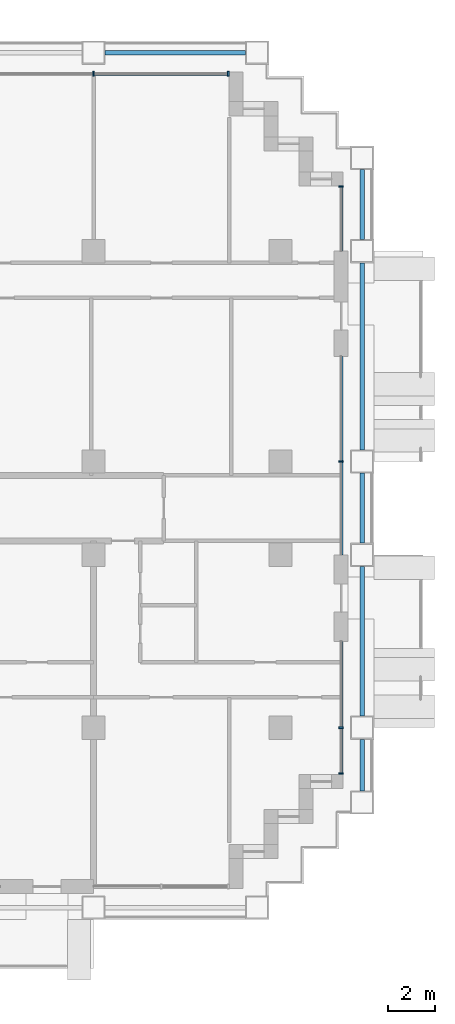
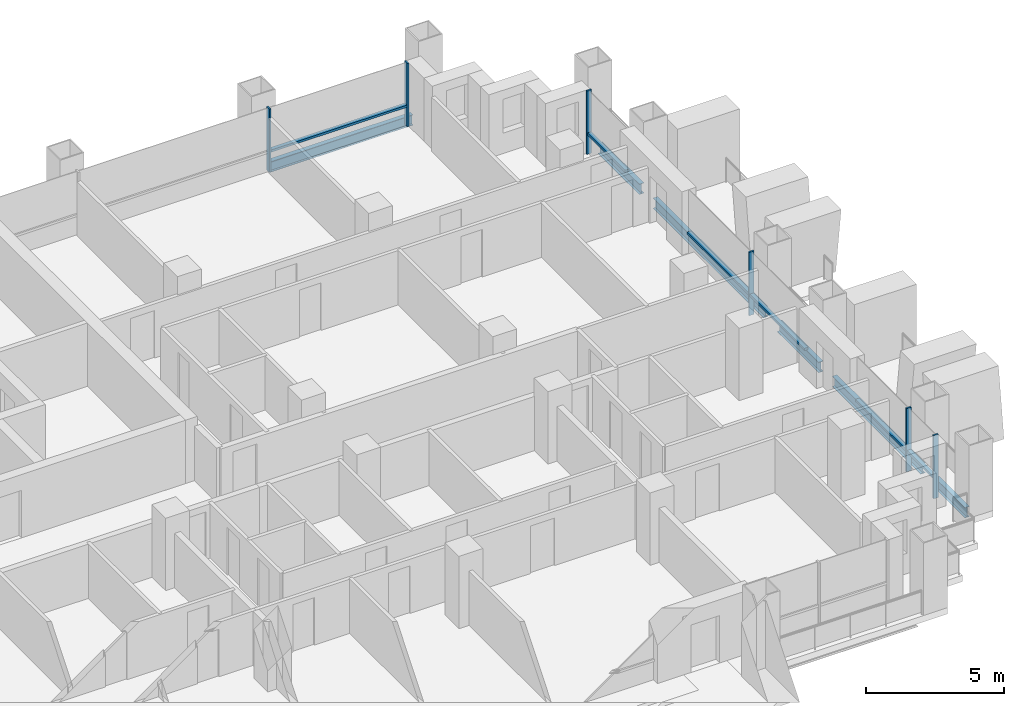
# One storey, part 6 of 19: 12 members, 6 beams, 4 elements without a shape of their own.
"""IFC4 building model written with IfcOpenShell, lengths in metres."""

from ifc_helpers import new_model, si_unit, direction, frame, origin, origin_2d, place, context, subcontext, project, spatial, rectangle, i_section, extrude, material, material_profile, profile_set, type_object, element, aggregate, save


model = new_model("IFC4")

# Units and contexts
model_context = context("Model", 3, precision=1e-05, world=origin(), true_north=direction((0.0, 1.0)))
body_context = subcontext(model_context, "Body", "Model", "MODEL_VIEW")
ifc_project = project(units=[si_unit("LENGTHUNIT", "METRE"), si_unit("AREAUNIT", "SQUARE_METRE"), si_unit("VOLUMEUNIT", "CUBIC_METRE"), si_unit("PLANEANGLEUNIT", "RADIAN"), si_unit("MASSUNIT", "GRAM", prefix="KILO")], contexts=[model_context])

# Site, building, storey
site_placement = place(None, origin())
site = spatial("IfcSite", under=ifc_project, at=site_placement, CompositionType="ELEMENT")
building_placement = place(site_placement, origin())
building = spatial("IfcBuilding", under=site, at=building_placement, Name="Vidyagriha Tower", CompositionType="ELEMENT")
storey_placement = place(building_placement, frame((0.0, 0.0, 60.800048828125)))
storey = spatial("IfcBuildingStorey", under=building, at=storey_placement, Name="L16", CompositionType="ELEMENT", Elevation=60.800048828125)

# Beams
ifc_material_1 = material(Name="Steel ASTM A992 Grade 50", Category="steel")
ifc_material_profile_1 = material_profile(ifc_material_1, i_section(OverallWidth=0.19189453125, OverallDepth=0.46240234375, WebThickness=0.010498046875, FlangeThickness=0.017578125, at=origin_2d()), Name="W18X60")
ifc_profile_set_1 = profile_set([ifc_material_profile_1], Name="Steel ASTM A992 Grade 50")
beam_type = type_object("IfcBeamType", Name="Edge beam W18X60", PredefinedType="SPANDREL", material=ifc_profile_set_1)
beam_1_placement = place(storey_placement, frame((37.5, -12.10009765625, -0.51123046875), z_axis=(0.0, 1.0, 0.0), x_axis=(-1.0, 0.0, 0.0)))
element("IfcBeam", 1, at=beam_1_placement, inside=storey, type_object=beam_type, Name="st-beam-L16-E15", PredefinedType="SPANDREL", context=body_context, shape_type="SweptSolid", body=[
    extrude(i_section(OverallWidth=0.19189453125, OverallDepth=0.46240234375, WebThickness=0.010498046875, FlangeThickness=0.017578125, at=origin_2d()), origin(), (0.0, 0.0, 1.0), 2.2001953125),
])
beam_2_placement = place(storey_placement, frame((37.5, -8.89990234375, -0.51123046875), z_axis=(0.0, 1.0, 0.0), x_axis=(-1.0, 0.0, 0.0)))
element("IfcBeam", 2, at=beam_2_placement, inside=storey, type_object=beam_type, Name="st-beam-L16-E16", PredefinedType="SPANDREL", context=body_context, shape_type="SweptSolid", body=[
    extrude(i_section(OverallWidth=0.19189453125, OverallDepth=0.46240234375, WebThickness=0.010498046875, FlangeThickness=0.017578125, at=origin_2d()), origin(), (0.0, 0.0, 1.0), 6.39990234375),
])
beam_3_placement = place(storey_placement, frame((37.5, -1.5, -0.51123046875), z_axis=(0.0, 1.0, 0.0), x_axis=(-1.0, 0.0, 0.0)))
element("IfcBeam", 3, at=beam_3_placement, inside=storey, type_object=beam_type, Name="st-beam-L16-E17", PredefinedType="SPANDREL", context=body_context, shape_type="SweptSolid", body=[
    extrude(i_section(OverallWidth=0.19189453125, OverallDepth=0.46240234375, WebThickness=0.010498046875, FlangeThickness=0.017578125, at=origin_2d()), origin(), (0.0, 0.0, 1.0), 3.0),
])
beam_4_placement = place(storey_placement, frame((37.5, 2.5, -0.51123046875), z_axis=(0.0, 1.0, 0.0), x_axis=(-1.0, 0.0, 0.0)))
element("IfcBeam", 4, at=beam_4_placement, inside=storey, type_object=beam_type, Name="st-beam-L16-E18", PredefinedType="SPANDREL", context=body_context, shape_type="SweptSolid", body=[
    extrude(i_section(OverallWidth=0.19189453125, OverallDepth=0.46240234375, WebThickness=0.010498046875, FlangeThickness=0.017578125, at=origin_2d()), origin(), (0.0, 0.0, 1.0), 8.0),
])
beam_5_placement = place(storey_placement, frame((37.5, 11.5, -0.51123046875), z_axis=(0.0, 1.0, 0.0), x_axis=(-1.0, 0.0, 0.0)))
element("IfcBeam", 5, at=beam_5_placement, inside=storey, type_object=beam_type, Name="st-beam-L16-E19", PredefinedType="SPANDREL", context=body_context, shape_type="SweptSolid", body=[
    extrude(i_section(OverallWidth=0.19189453125, OverallDepth=0.46240234375, WebThickness=0.010498046875, FlangeThickness=0.017578125, at=origin_2d()), origin(), (0.0, 0.0, 1.0), 3.0),
])
beam_6_placement = place(storey_placement, frame((26.5, 19.5, -0.51123046875), z_axis=(1.0, 0.0, 0.0), x_axis=(0.0, 1.0, 0.0)))
element("IfcBeam", 6, at=beam_6_placement, inside=storey, type_object=beam_type, Name="st-beam-L16-NE23", PredefinedType="SPANDREL", context=body_context, shape_type="SweptSolid", body=[
    extrude(i_section(OverallWidth=0.19189453125, OverallDepth=0.46240234375, WebThickness=0.010498046875, FlangeThickness=0.017578125, at=origin_2d()), origin(), (0.0, 0.0, 1.0), 6.0),
])

# Curtain wall, members
ifc_material_2 = material(Name="Aluminium and glass curtain wall", Category="aluminium")
curtain_wall_type = type_object("IfcCurtainWallType", Name="Dwelling skin unitised curtain wall", PredefinedType="USERDEFINED", material=ifc_material_2)
curtain_wall_1_placement = place(storey_placement, origin())
curtain_wall_1 = element("IfcCurtainWall", 7, at=curtain_wall_1_placement, inside=storey, type_object=curtain_wall_type, Name="CW1 dwelling skin", ObjectType="UNITISED", PredefinedType="USERDEFINED")
ifc_material_3 = material(Name="Aluminium black anodised", Category="aluminium")
ifc_material_profile_2 = material_profile(ifc_material_3, rectangle(XDim=0.199951171875, YDim=0.070068359375, at=origin_2d()), Name="Mullion 70x200 black aluminium")
ifc_profile_set_2 = profile_set([ifc_material_profile_2], Name="Aluminium black anodised")
member_type_1 = type_object("IfcMemberType", Name="Mullion 70x200 black aluminium", PredefinedType="MULLION", material=ifc_profile_set_2)
member_1_placement = place(storey_placement, frame((31.764892578125, 18.60009765625, 0.0), z_axis=(0.0, 0.0, 1.0), x_axis=(0.0, -1.0, 0.0)))
member_1 = element("IfcMember", 8, at=member_1_placement, type_object=member_type_1, Name="CW1 mullion 1", PredefinedType="MULLION", context=body_context, shape_type="SweptSolid", body=[
    extrude(rectangle(XDim=0.199951171875, YDim=0.070068359375, at=origin_2d()), origin(), (0.0, 0.0, 1.0), 2.800048828125),
])
member_2_placement = place(storey_placement, frame((26.0, 18.60009765625, 0.0), z_axis=(0.0, 0.0, 1.0), x_axis=(0.0, -1.0, 0.0)))
member_2 = element("IfcMember", 9, at=member_2_placement, type_object=member_type_1, Name="CW1 mullion 2", PredefinedType="MULLION", context=body_context, shape_type="SweptSolid", body=[
    extrude(rectangle(XDim=0.199951171875, YDim=0.070068359375, at=origin_2d()), origin(), (0.0, 0.0, 1.0), 2.800048828125),
])

curtain_wall_2_placement = place(storey_placement, origin())
curtain_wall_2 = element("IfcCurtainWall", 10, at=curtain_wall_2_placement, inside=storey, type_object=curtain_wall_type, Name="CW1 dwelling skin", ObjectType="UNITISED", PredefinedType="USERDEFINED")
member_3_placement = place(storey_placement, frame((36.60009765625, -11.364990234375, 0.0), z_axis=(0.0, 0.0, 1.0), x_axis=(-1.0, 0.0, 0.0)))
member_3 = element("IfcMember", 11, at=member_3_placement, type_object=member_type_1, Name="CW1 mullion 1", PredefinedType="MULLION", context=body_context, shape_type="SweptSolid", body=[
    extrude(rectangle(XDim=0.199951171875, YDim=0.070068359375, at=origin_2d()), origin(), (0.0, 0.0, 1.0), 2.800048828125),
])
member_4_placement = place(storey_placement, frame((36.60009765625, -9.39990234375, 0.0), z_axis=(0.0, 0.0, 1.0), x_axis=(-1.0, 0.0, 0.0)))
member_4 = element("IfcMember", 12, at=member_4_placement, type_object=member_type_1, Name="CW1 mullion 2", PredefinedType="MULLION", context=body_context, shape_type="SweptSolid", body=[
    extrude(rectangle(XDim=0.199951171875, YDim=0.070068359375, at=origin_2d()), origin(), (0.0, 0.0, 1.0), 2.800048828125),
])

# Curtain wall, member
curtain_wall_3_placement = place(storey_placement, origin())
curtain_wall_3 = element("IfcCurtainWall", 13, at=curtain_wall_3_placement, inside=storey, type_object=curtain_wall_type, Name="CW1 dwelling skin", ObjectType="UNITISED", PredefinedType="USERDEFINED")
member_5_placement = place(storey_placement, frame((36.60009765625, 2.0, 0.0), z_axis=(0.0, 0.0, 1.0), x_axis=(-1.0, 0.0, 0.0)))
member_5 = element("IfcMember", 14, at=member_5_placement, type_object=member_type_1, Name="CW1 mullion 2", PredefinedType="MULLION", context=body_context, shape_type="SweptSolid", body=[
    extrude(rectangle(XDim=0.199951171875, YDim=0.070068359375, at=origin_2d()), origin(), (0.0, 0.0, 1.0), 2.800048828125),
])

curtain_wall_4_placement = place(storey_placement, origin())
curtain_wall_4 = element("IfcCurtainWall", 15, at=curtain_wall_4_placement, inside=storey, type_object=curtain_wall_type, Name="CW1 dwelling skin", ObjectType="UNITISED", PredefinedType="USERDEFINED")
member_6_placement = place(storey_placement, frame((36.60009765625, 13.764892578125, 0.0), z_axis=(0.0, 0.0, 1.0), x_axis=(-1.0, 0.0, 0.0)))
member_6 = element("IfcMember", 16, at=member_6_placement, type_object=member_type_1, Name="CW1 mullion 2", PredefinedType="MULLION", context=body_context, shape_type="SweptSolid", body=[
    extrude(rectangle(XDim=0.199951171875, YDim=0.070068359375, at=origin_2d()), origin(), (0.0, 0.0, 1.0), 2.800048828125),
])

# Member
ifc_material_4 = material(Name="Aluminium black anodised", Category="aluminium")
ifc_material_profile_3 = material_profile(ifc_material_4, rectangle(XDim=0.159912109375, YDim=0.10009765625, at=origin_2d()), Name="Transom 100x160 black aluminium")
ifc_profile_set_3 = profile_set([ifc_material_profile_3], Name="Aluminium black anodised")
member_type_2 = type_object("IfcMemberType", Name="Transom 100x160 black aluminium", PredefinedType="USERDEFINED", material=ifc_profile_set_3)
member_7_placement = place(storey_placement, frame((31.72998046875, 18.60009765625, 0.89990234375), z_axis=(-1.0, 0.0, 0.0), x_axis=(0.0, -1.0, 0.0)))
member_7 = element("IfcMember", 17, at=member_7_placement, type_object=member_type_2, Name="CW1 transom 1.1", ObjectType="TRANSOM", PredefinedType="USERDEFINED", context=body_context, shape_type="SweptSolid", body=[
    extrude(rectangle(XDim=0.159912109375, YDim=0.10009765625, at=origin_2d()), origin(), (0.0, 0.0, 1.0), 5.695068359375),
])

aggregate(curtain_wall_1, [member_1, member_2, member_7])

member_8_placement = place(storey_placement, frame((36.60009765625, -11.330078125, 0.89990234375), z_axis=(0.0, 1.0, 0.0), x_axis=(-1.0, 0.0, 0.0)))
member_8 = element("IfcMember", 18, at=member_8_placement, type_object=member_type_2, Name="CW1 transom 1.1", ObjectType="TRANSOM", PredefinedType="USERDEFINED", context=body_context, shape_type="SweptSolid", body=[
    extrude(rectangle(XDim=0.159912109375, YDim=0.10009765625, at=origin_2d()), origin(), (0.0, 0.0, 1.0), 1.89501953125),
])

member_9_placement = place(storey_placement, frame((36.60009765625, -9.364990234375, 0.89990234375), z_axis=(0.0, 1.0, 0.0), x_axis=(-1.0, 0.0, 0.0)))
member_9 = element("IfcMember", 19, at=member_9_placement, type_object=member_type_2, Name="CW1 transom 2.1", ObjectType="TRANSOM", PredefinedType="USERDEFINED", context=body_context, shape_type="SweptSolid", body=[
    extrude(rectangle(XDim=0.159912109375, YDim=0.10009765625, at=origin_2d()), origin(), (0.0, 0.0, 1.0), 3.6650390625),
])

aggregate(curtain_wall_2, [member_3, member_4, member_8, member_9])

member_10_placement = place(storey_placement, frame((36.60009765625, -2.0, 0.89990234375), z_axis=(0.0, 1.0, 0.0), x_axis=(-1.0, 0.0, 0.0)))
member_10 = element("IfcMember", 20, at=member_10_placement, type_object=member_type_2, Name="CW1 transom 1.1", ObjectType="TRANSOM", PredefinedType="USERDEFINED", context=body_context, shape_type="SweptSolid", body=[
    extrude(rectangle(XDim=0.159912109375, YDim=0.10009765625, at=origin_2d()), origin(), (0.0, 0.0, 1.0), 3.965087890625),
])

member_11_placement = place(storey_placement, frame((36.60009765625, 2.034912109375, 0.89990234375), z_axis=(0.0, 1.0, 0.0), x_axis=(-1.0, 0.0, 0.0)))
member_11 = element("IfcMember", 21, at=member_11_placement, type_object=member_type_2, Name="CW1 transom 2.1", ObjectType="TRANSOM", PredefinedType="USERDEFINED", context=body_context, shape_type="SweptSolid", body=[
    extrude(rectangle(XDim=0.159912109375, YDim=0.10009765625, at=origin_2d()), origin(), (0.0, 0.0, 1.0), 4.465087890625),
])

aggregate(curtain_wall_3, [member_5, member_10, member_11])

member_12_placement = place(storey_placement, frame((36.60009765625, 11.0, 0.89990234375), z_axis=(0.0, 1.0, 0.0), x_axis=(-1.0, 0.0, 0.0)))
member_12 = element("IfcMember", 22, at=member_12_placement, type_object=member_type_2, Name="CW1 transom 1.1", ObjectType="TRANSOM", PredefinedType="USERDEFINED", context=body_context, shape_type="SweptSolid", body=[
    extrude(rectangle(XDim=0.159912109375, YDim=0.10009765625, at=origin_2d()), origin(), (0.0, 0.0, 1.0), 2.72998046875),
])

aggregate(curtain_wall_4, [member_6, member_12])

save(model, "model.ifc")
